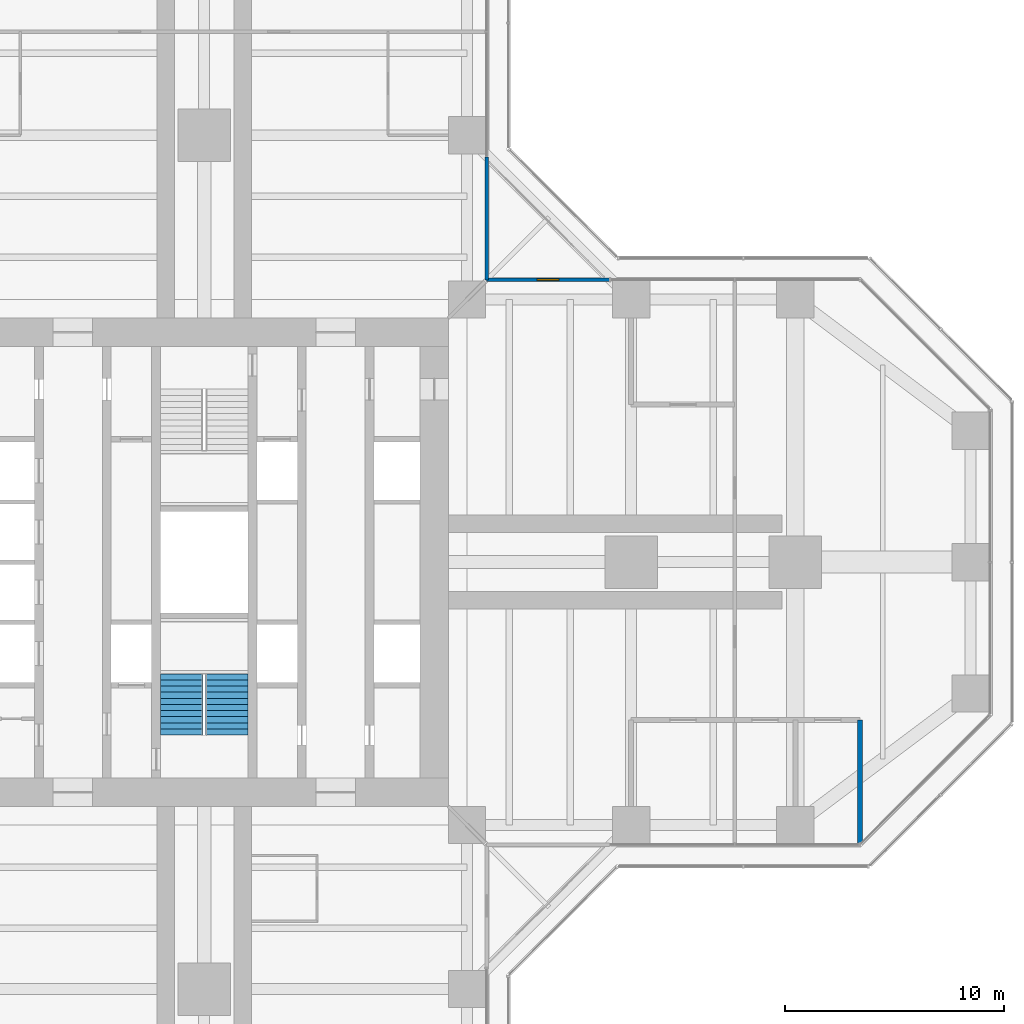
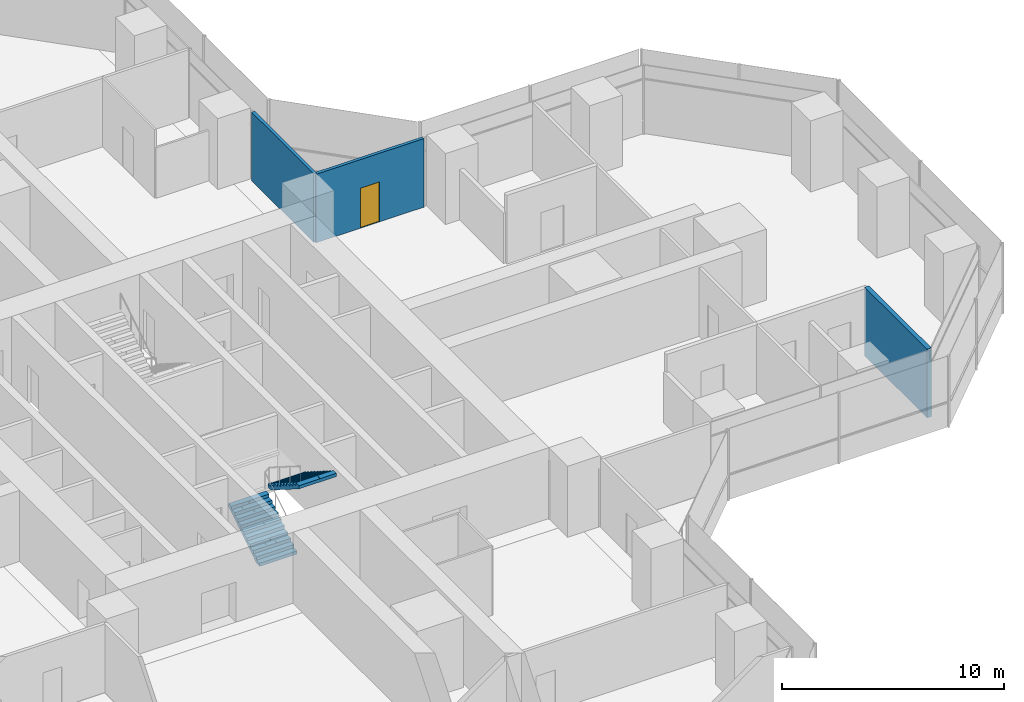
# One storey, part 20 of 22: 3 walls, 2 stair flights, 1 door, 1 opening, 1 element without a shape of its own.
"""IFC4 building model written with IfcOpenShell, lengths in metres."""

import ifcopenshell
import ifcopenshell.guid

model = None  # the IFC model being written
_history = None  # IfcOwnerHistory: only IFC2X3 demands one
_inside = {}  # id of a spatial element -> (the spatial element, [elements in it])
_under = {}  # id of a project, library or spatial element -> (it, [spatial elements below it])
_declared = {}  # id of a project -> (the project, [libraries it declares])
_typed = {}  # id of a type object -> (the type object, [elements of that type])
_made_of = {}  # id of a material, layer set ... -> (it, [elements and type objects made of it])


def new_model(schema):
    """Start an empty IFC model of exactly this schema.

    Asked for "IFC4X3", IfcOpenShell would pick the latest addendum, in which some entities
    have other attributes; the version numbers below select the first issue.
    IFC2X3 requires an IfcOwnerHistory on every rooted entity: one is made here for all.
    """
    global model, _history
    if schema == "IFC4X3":
        model = ifcopenshell.file(schema_version=(4, 3, 0, 0))
    else:
        model = ifcopenshell.file(schema=schema)
    _inside.clear()
    _under.clear()
    _declared.clear()
    _typed.clear()
    _made_of.clear()
    _history = None
    if model.schema == "IFC2X3":
        org = make("IfcOrganization", Name="unknown")
        user = make(
            "IfcPersonAndOrganization",
            ThePerson=make("IfcPerson", FamilyName="unknown"),
            TheOrganization=org,
        )
        app = make(
            "IfcApplication",
            ApplicationDeveloper=org,
            Version="unknown",
            ApplicationFullName="unknown",
            ApplicationIdentifier="unknown",
        )
        _history = make(
            "IfcOwnerHistory",
            OwningUser=user,
            OwningApplication=app,
            ChangeAction="ADDED",
            CreationDate=0,
        )
    return model


def make(cls, **values):
    """One entity of the class cls with the attributes given. An attribute that is None is left unset."""
    return model.create_entity(
        cls, **{name: value for name, value in values.items() if value is not None}
    )


def rooted(cls, **values):
    """An entity with a GlobalId (a new one), such as an element, a storey or a relation."""
    return make(cls, GlobalId=ifcopenshell.guid.new(), OwnerHistory=_history, **values)


def si_unit(unit_type, name, prefix=None):
    """IfcSIUnit, for example si_unit("LENGTHUNIT", "METRE", prefix="MILLI")."""
    return make("IfcSIUnit", UnitType=unit_type, Prefix=prefix, Name=name)


def assignment(units):
    """IfcUnitAssignment: the units of a project."""
    return None if units is None else make("IfcUnitAssignment", Units=units)


def point(xyz):
    """IfcCartesianPoint."""
    return None if xyz is None else make("IfcCartesianPoint", Coordinates=xyz)


def direction(xyz):
    """IfcDirection."""
    return None if xyz is None else make("IfcDirection", DirectionRatios=xyz)


def frame(location, z_axis=None, x_axis=None):
    """IfcAxis2Placement3D, a coordinate frame: its origin and axes. An axis left out is left unset."""
    return make(
        "IfcAxis2Placement3D",
        Location=point(location),
        Axis=direction(z_axis),
        RefDirection=direction(x_axis),
    )


def frame_2d(location, x_axis=None):
    """IfcAxis2Placement2D, a coordinate frame in the plane: its origin and x axis."""
    return make(
        "IfcAxis2Placement2D", Location=point(location), RefDirection=direction(x_axis)
    )


def origin():
    """The frame at (0, 0, 0) with its axes left unset."""
    return frame((0.0, 0.0, 0.0))


def place(relative_to, where):
    """IfcLocalPlacement: puts the frame where relative to a parent placement (None: the world)."""
    return make(
        "IfcLocalPlacement", PlacementRelTo=relative_to, RelativePlacement=where
    )


def context(
    kind, dimensions, precision=None, world=None, true_north=None, identifier=None
):
    """IfcGeometricRepresentationContext, for example the 3D "Model" context."""
    return make(
        "IfcGeometricRepresentationContext",
        ContextIdentifier=identifier,
        ContextType=kind,
        CoordinateSpaceDimension=dimensions,
        Precision=precision,
        WorldCoordinateSystem=world,
        TrueNorth=true_north,
    )


def subcontext(parent, identifier, kind, view, scale=None):
    """IfcGeometricRepresentationSubContext, for example "Body" below "Model"."""
    return make(
        "IfcGeometricRepresentationSubContext",
        ContextIdentifier=identifier,
        ContextType=kind,
        ParentContext=parent,
        TargetScale=scale,
        TargetView=view,
    )


def project(units=None, contexts=None):
    """IfcProject with its units and contexts."""
    return rooted(
        "IfcProject",
        Name="project",
        RepresentationContexts=contexts,
        UnitsInContext=assignment(units),
    )


def spatial(cls, under=None, at=None, **own):
    """A site, building, storey or space (cls), placed at a placement, below another one or the project."""
    s = rooted(cls, ObjectPlacement=at, **own)
    if under is not None:
        _under.setdefault(under.id(), (under, []))[1].append(s)
    return s


def polyline(points):
    """IfcPolyline through the points."""
    return make("IfcPolyline", Points=[point(p) for p in points])


def profile(cls, at=None, kind="AREA", **sizes):
    """A parametric profile (cls). Its sizes go by their IFC names, for example OverallWidth=200.0."""
    return make(cls, ProfileType=kind, Position=at, **sizes)


def rectangle(**sizes):
    """IfcRectangleProfileDef."""
    return profile("IfcRectangleProfileDef", **sizes)


def outline(outer, holes=None, kind="AREA"):
    """IfcArbitraryClosedProfileDef: a profile drawn as a closed curve; with holes, ...WithVoids."""
    if holes is None:
        return make("IfcArbitraryClosedProfileDef", ProfileType=kind, OuterCurve=outer)
    return make(
        "IfcArbitraryProfileDefWithVoids",
        ProfileType=kind,
        OuterCurve=outer,
        InnerCurves=holes,
    )


def extrude(swept, where, along, depth):
    """IfcExtrudedAreaSolid: the profile swept, set in the frame where, extruded along a direction by depth."""
    return make(
        "IfcExtrudedAreaSolid",
        SweptArea=swept,
        Position=where,
        ExtrudedDirection=direction(along),
        Depth=depth,
    )


def shape(context_of_items, identifier, shape_type, items):
    """IfcShapeRepresentation: the items that make up one representation, for example the "Body"."""
    return make(
        "IfcShapeRepresentation",
        ContextOfItems=context_of_items,
        RepresentationIdentifier=identifier,
        RepresentationType=shape_type,
        Items=items,
    )


def material(Name=None, Category=None):
    """IfcMaterial."""
    return make("IfcMaterial", Name=Name, Category=Category)


def layer(
    of_material, thickness, ventilated=None, Name=None, Category=None, Priority=None
):
    """IfcMaterialLayer: one layer of a wall or slab, of a material (None: an air gap)."""
    return make(
        "IfcMaterialLayer",
        Material=of_material,
        LayerThickness=thickness,
        IsVentilated=ventilated,
        Name=Name,
        Category=Category,
        Priority=Priority,
    )


def layer_set(layers, Name=None):
    """IfcMaterialLayerSet."""
    return make("IfcMaterialLayerSet", MaterialLayers=layers, LayerSetName=Name)


def made_of(thing, what):
    """Note that an element or type object is made of a material, layer set ...; save() writes the relation."""
    if what is not None:
        _made_of.setdefault(what.id(), (what, []))[1].append(thing)
    return thing


def type_object(cls, material=None, **own):
    """A type object (cls), such as IfcWallType, which elements share."""
    return made_of(rooted(cls, **own), material)


def element(
    cls,
    number,
    at=None,
    inside=None,
    cuts=None,
    type_object=None,
    material=None,
    context=None,
    identifier="Body",
    shape_type=None,
    held_by="IfcProductDefinitionShape",
    body=None,
    shapes=None,
    **own,
):
    """One element of the class cls, such as IfcWall. Its Tag is "e" and its number.

    at: its placement. inside: the storey or other place that contains it. cuts: it is an
    opening in that element (IfcRelVoidsElement). A single representation is given by context,
    identifier, shape_type and body (its items); several are given by shapes. held_by: the class
    of the entity that holds the representations. save() writes the other relations.
    """
    e = rooted(cls, Tag="e%d" % number, ObjectPlacement=at, **own)
    if body is not None:
        shapes = [shape(context, identifier, shape_type, body)]
    if shapes is not None:
        e.Representation = make(held_by, Representations=shapes)
    if inside is not None:
        _inside.setdefault(inside.id(), (inside, []))[1].append(e)
    if cuts is not None:
        rooted(
            "IfcRelVoidsElement", RelatingBuildingElement=cuts, RelatedOpeningElement=e
        )
    if type_object is not None:
        _typed.setdefault(type_object.id(), (type_object, []))[1].append(e)
    return made_of(e, material)


def fill(opening, filler):
    """IfcRelFillsElement: the door or window that sits in an opening."""
    return rooted(
        "IfcRelFillsElement",
        RelatingOpeningElement=opening,
        RelatedBuildingElement=filler,
    )


def aggregate(whole, parts):
    """IfcRelAggregates: a whole, such as a stair, and the parts it consists of."""
    return rooted("IfcRelAggregates", RelatingObject=whole, RelatedObjects=parts)


def save(model, path):
    """Write the relations noted so far, then the file.

    IfcRelAggregates (storeys below a building ...), IfcRelContainedInSpatialStructure (elements
    in a storey), IfcRelDefinesByType, IfcRelAssociatesMaterial and IfcRelDeclares: one each for
    every whole, place, type object, material and project.
    """
    for whole, parts in _under.values():
        aggregate(whole, parts)
    for where, things in _inside.values():
        rooted(
            "IfcRelContainedInSpatialStructure",
            RelatedElements=things,
            RelatingStructure=where,
        )
    for kind, things in _typed.values():
        rooted("IfcRelDefinesByType", RelatedObjects=things, RelatingType=kind)
    for what, things in _made_of.values():
        rooted("IfcRelAssociatesMaterial", RelatedObjects=things, RelatingMaterial=what)
    for by, libraries in _declared.values():
        rooted("IfcRelDeclares", RelatingContext=by, RelatedDefinitions=libraries)
    model.write(path)


model = new_model("IFC4")

# Units and contexts
model_context = context("Model", 3, precision=1e-05, world=origin(), true_north=direction((0.0, 1.0)))
body_context = subcontext(model_context, "Body", "Model", "MODEL_VIEW")
ifc_project = project(units=[si_unit("LENGTHUNIT", "METRE"), si_unit("AREAUNIT", "SQUARE_METRE"), si_unit("VOLUMEUNIT", "CUBIC_METRE"), si_unit("PLANEANGLEUNIT", "RADIAN"), si_unit("MASSUNIT", "GRAM", prefix="KILO")], contexts=[model_context])

# Site, building, storey
site_placement = place(None, origin())
site = spatial("IfcSite", under=ifc_project, at=site_placement, CompositionType="ELEMENT")
building_placement = place(site_placement, origin())
building = spatial("IfcBuilding", under=site, at=building_placement, Name="Mizan Broadcast Tower", CompositionType="ELEMENT")
storey_placement = place(building_placement, frame((0.0, 0.0, 82.5)))
storey = spatial("IfcBuildingStorey", under=building, at=storey_placement, Name="L17", CompositionType="ELEMENT", Elevation=82.5)

# Wall, opening, door
ifc_material_1 = material(Name="Aluminium framed glazed screen", Category="aluminium")
ifc_layer_1 = layer(ifc_material_1, 0.159912109375)
ifc_layer_set_1 = layer_set([ifc_layer_1], Name="Aluminium framed glazed screen")
wall_type_1 = type_object("IfcWallType", Name="GLAZED SCREEN WALL 160", PredefinedType="SOLIDWALL", material=ifc_layer_set_1)
wall_1_placement = place(storey_placement, frame((18.5, 12.89990234375, 0.0), z_axis=(0.0, 0.0, 1.0), x_axis=(-1.0, 0.0, 0.0)))
wall_1 = element("IfcWall", 1, at=wall_1_placement, inside=storey, type_object=wall_type_1, Name="Winter garden screen L17 E", PredefinedType="SOLIDWALL", context=body_context, shape_type="SweptSolid", body=[
    extrude(rectangle(XDim=5.60009765625, YDim=0.159912109375, at=frame_2d((2.800048828125, 0.0))), origin(), (0.0, 0.0, 1.0), 3.77001953125),
])
opening_placement = place(wall_1_placement, frame((2.300048828125, 0.0, 0.0)))
opening = element("IfcOpeningElement", 2, at=opening_placement, cuts=wall_1, Name="Opening WGD", PredefinedType="OPENING", context=body_context, shape_type="SweptSolid", body=[
    extrude(rectangle(XDim=1.0, YDim=2.199951171875, at=frame_2d((0.5, 1.10009765625))), frame((0.0, 0.08984375, 0.0), z_axis=(0.0, -1.0, 0.0), x_axis=(1.0, 0.0, 0.0)), (0.0, 0.0, 1.0), 0.179931640625),
])
ifc_material_2 = material(Name="Aluminium framed glazed door", Category="aluminium")
door_type = type_object("IfcDoorType", Name="WINTER GARDEN DOOR 1000 GLAZED", OperationType="SINGLE_SWING_LEFT", PredefinedType="DOOR", material=ifc_material_2)
door_placement = place(opening_placement, origin())
door = element("IfcDoor", 3, at=door_placement, inside=storey, type_object=door_type, Name="Winter garden door L17 E", OperationType="SINGLE_SWING_RIGHT", OverallHeight=2.199951171875, OverallWidth=1.0, PredefinedType="DOOR", context=body_context, shape_type="SweptSolid", body=[
    extrude(rectangle(XDim=1.0, YDim=2.199951171875, at=frame_2d((0.5, 1.10009765625))), frame((0.0, 0.02490234375, 0.0), z_axis=(0.0, -1.0, 0.0), x_axis=(1.0, 0.0, 0.0)), (0.0, 0.0, 1.0), 0.050048828125),
])
fill(opening, door)

# Walls
wall_2_placement = place(storey_placement, frame((12.89990234375, 12.89990234375, 0.0), z_axis=(0.0, 0.0, 1.0), x_axis=(0.0, 1.0, 0.0)))
element("IfcWall", 4, at=wall_2_placement, inside=storey, type_object=wall_type_1, Name="Winter garden screen L17 N", PredefinedType="SOLIDWALL", context=body_context, shape_type="SweptSolid", body=[
    extrude(rectangle(XDim=5.60009765625, YDim=0.159912109375, at=frame_2d((2.800048828125, 0.0))), origin(), (0.0, 0.0, 1.0), 3.77001953125),
])
ifc_material_3 = material(Name="Twin steel stud acoustic partition, four layers of gypsum board", Category="steel")
ifc_layer_2 = layer(ifc_material_3, 0.22509765625)
ifc_layer_set_2 = layer_set([ifc_layer_2], Name="Twin steel stud acoustic partition, four layers of gypsum board")
wall_type_2 = type_object("IfcWallType", Name="PARTITION ACOUSTIC 225", PredefinedType="PARTITIONING", material=ifc_layer_set_2)
wall_3_placement = place(storey_placement, frame((29.958984375, -7.199951171875, 0.0), z_axis=(0.0, 0.0, 1.0), x_axis=(0.0, -1.0, 0.0)))
element("IfcWall", 5, at=wall_3_placement, inside=storey, type_object=wall_type_2, Name="Acoustic partition PT/EQN2996", PredefinedType="PARTITIONING", context=body_context, shape_type="SweptSolid", body=[
    extrude(rectangle(XDim=5.6201171875, YDim=0.22509765625, at=frame_2d((2.81005859375, 0.0))), origin(), (0.0, 0.0, 1.0), 3.77001953125),
])

# Stair, stair flights
ifc_material_4 = material(Name="Concrete C40/50", Category="concrete")
stair_type = type_object("IfcStairType", Name="EXIT STAIR", PredefinedType="HALF_TURN_STAIR", material=ifc_material_4)
stair_placement = place(storey_placement, origin())
stair = element("IfcStair", 6, at=stair_placement, inside=storey, type_object=stair_type, Name="Stair A L17", PredefinedType="HALF_TURN_STAIR")
ifc_material_5 = material(Name="Concrete C40/50", Category="concrete")
stair_flight_type = type_object("IfcStairFlightType", Name="EXIT STAIR FLIGHT", PredefinedType="STRAIGHT", material=ifc_material_5)
stair_flight_1_placement = place(storey_placement, frame((-1.02490234375, -7.89990234375, 0.0), z_axis=(0.0, 0.0, 1.0), x_axis=(0.0, 1.0, 0.0)))
stair_flight_1 = element("IfcStairFlight", 7, at=stair_flight_1_placement, type_object=stair_flight_type, Name="A flight 1", NumberOfRisers=11, NumberOfTreads=10, PredefinedType="STRAIGHT", RiserHeight=0.177272727, TreadLength=0.28, context=body_context, shape_type="SweptSolid", body=[
    extrude(outline(polyline([(0.0, 0.0), (0.0, 0.17724609375), (0.280029296875, 0.17724609375), (0.280029296875, 0.3544921875), (0.56005859375, 0.3544921875), (0.56005859375, 0.53173828125), (0.840087890625, 0.53173828125), (0.840087890625, 0.708984375), (1.1201171875, 0.708984375), (1.1201171875, 0.886474609375), (1.39990234375, 0.886474609375), (1.39990234375, 1.063720703125), (1.679931640625, 1.063720703125), (1.679931640625, 1.240966796875), (1.9599609375, 1.240966796875), (1.9599609375, 1.418212890625), (2.239990234375, 1.418212890625), (2.239990234375, 1.595458984375), (2.52001953125, 1.595458984375), (2.52001953125, 1.772705078125), (2.800048828125, 1.772705078125), (2.800048828125, 1.949951171875), (2.800048828125, 1.59521484375), (0.2802734375, 0.0), (0.0, 0.0)])), frame((0.0, 0.97509765625, 0.0), z_axis=(0.0, -1.0, 0.0), x_axis=(1.0, 0.0, 0.0)), (0.0, 0.0, 1.0), 0.4873046875),
    extrude(outline(polyline([(0.0, 0.0), (0.0, 0.17724609375), (0.280029296875, 0.17724609375), (0.280029296875, 0.3544921875), (0.56005859375, 0.3544921875), (0.56005859375, 0.53173828125), (0.840087890625, 0.53173828125), (0.840087890625, 0.708984375), (1.1201171875, 0.708984375), (1.1201171875, 0.886474609375), (1.39990234375, 0.886474609375), (1.39990234375, 1.063720703125), (1.679931640625, 1.063720703125), (1.679931640625, 1.240966796875), (1.9599609375, 1.240966796875), (1.9599609375, 1.418212890625), (2.239990234375, 1.418212890625), (2.239990234375, 1.595458984375), (2.52001953125, 1.595458984375), (2.52001953125, 1.772705078125), (2.800048828125, 1.772705078125), (2.800048828125, 1.949951171875), (2.800048828125, 1.59521484375), (0.2802734375, 0.0), (0.0, 0.0)])), frame((0.0, 0.4873046875, 0.0), z_axis=(0.0, -1.0, 0.0), x_axis=(1.0, 0.0, 0.0)), (0.0, 0.0, 1.0), 0.2431640625),
    extrude(outline(polyline([(0.0, 0.0), (0.0, 0.17724609375), (0.280029296875, 0.17724609375), (0.280029296875, 0.3544921875), (0.56005859375, 0.3544921875), (0.56005859375, 0.53173828125), (0.840087890625, 0.53173828125), (0.840087890625, 0.708984375), (1.1201171875, 0.708984375), (1.1201171875, 0.886474609375), (1.39990234375, 0.886474609375), (1.39990234375, 1.063720703125), (1.679931640625, 1.063720703125), (1.679931640625, 1.240966796875), (1.9599609375, 1.240966796875), (1.9599609375, 1.418212890625), (2.239990234375, 1.418212890625), (2.239990234375, 1.595458984375), (2.52001953125, 1.595458984375), (2.52001953125, 1.772705078125), (2.800048828125, 1.772705078125), (2.800048828125, 1.949951171875), (2.800048828125, 1.59521484375), (0.2802734375, 0.0), (0.0, 0.0)])), frame((0.0, 0.24365234375, 0.0), z_axis=(0.0, -1.0, 0.0), x_axis=(1.0, 0.0, 0.0)), (0.0, 0.0, 1.0), 0.121337890625),
    extrude(outline(polyline([(0.0, 0.0), (0.0, 0.17724609375), (0.280029296875, 0.17724609375), (0.280029296875, 0.3544921875), (0.56005859375, 0.3544921875), (0.56005859375, 0.53173828125), (0.840087890625, 0.53173828125), (0.840087890625, 0.708984375), (1.1201171875, 0.708984375), (1.1201171875, 0.886474609375), (1.39990234375, 0.886474609375), (1.39990234375, 1.063720703125), (1.679931640625, 1.063720703125), (1.679931640625, 1.240966796875), (1.9599609375, 1.240966796875), (1.9599609375, 1.418212890625), (2.239990234375, 1.418212890625), (2.239990234375, 1.595458984375), (2.52001953125, 1.595458984375), (2.52001953125, 1.772705078125), (2.800048828125, 1.772705078125), (2.800048828125, 1.949951171875), (2.800048828125, 1.59521484375), (0.2802734375, 0.0), (0.0, 0.0)])), frame((0.0, 0.121826171875, 0.0), z_axis=(0.0, -1.0, 0.0), x_axis=(1.0, 0.0, 0.0)), (0.0, 0.0, 1.0), 0.060546875),
    extrude(outline(polyline([(0.0, 0.0), (0.0, 0.17724609375), (0.280029296875, 0.17724609375), (0.280029296875, 0.3544921875), (0.56005859375, 0.3544921875), (0.56005859375, 0.53173828125), (0.840087890625, 0.53173828125), (0.840087890625, 0.708984375), (1.1201171875, 0.708984375), (1.1201171875, 0.886474609375), (1.39990234375, 0.886474609375), (1.39990234375, 1.063720703125), (1.679931640625, 1.063720703125), (1.679931640625, 1.240966796875), (1.9599609375, 1.240966796875), (1.9599609375, 1.418212890625), (2.239990234375, 1.418212890625), (2.239990234375, 1.595458984375), (2.52001953125, 1.595458984375), (2.52001953125, 1.772705078125), (2.800048828125, 1.772705078125), (2.800048828125, 1.949951171875), (2.800048828125, 1.59521484375), (0.2802734375, 0.0), (0.0, 0.0)])), frame((0.0, 0.060791015625, 0.0), z_axis=(0.0, -1.0, 0.0), x_axis=(1.0, 0.0, 0.0)), (0.0, 0.0, 1.0), 0.030029296875),
    extrude(outline(polyline([(0.0, 0.0), (0.0, 0.17724609375), (0.280029296875, 0.17724609375), (0.280029296875, 0.3544921875), (0.56005859375, 0.3544921875), (0.56005859375, 0.53173828125), (0.840087890625, 0.53173828125), (0.840087890625, 0.708984375), (1.1201171875, 0.708984375), (1.1201171875, 0.886474609375), (1.39990234375, 0.886474609375), (1.39990234375, 1.063720703125), (1.679931640625, 1.063720703125), (1.679931640625, 1.240966796875), (1.9599609375, 1.240966796875), (1.9599609375, 1.418212890625), (2.239990234375, 1.418212890625), (2.239990234375, 1.595458984375), (2.52001953125, 1.595458984375), (2.52001953125, 1.772705078125), (2.800048828125, 1.772705078125), (2.800048828125, 1.949951171875), (2.800048828125, 1.59521484375), (0.2802734375, 0.0), (0.0, 0.0)])), frame((0.0, 0.0302734375, 0.0), z_axis=(0.0, -1.0, 0.0), x_axis=(1.0, 0.0, 0.0)), (0.0, 0.0, 1.0), 0.060302734375),
    extrude(outline(polyline([(0.0, 0.0), (0.0, 0.17724609375), (0.280029296875, 0.17724609375), (0.280029296875, 0.3544921875), (0.56005859375, 0.3544921875), (0.56005859375, 0.53173828125), (0.840087890625, 0.53173828125), (0.840087890625, 0.708984375), (1.1201171875, 0.708984375), (1.1201171875, 0.886474609375), (1.39990234375, 0.886474609375), (1.39990234375, 1.063720703125), (1.679931640625, 1.063720703125), (1.679931640625, 1.240966796875), (1.9599609375, 1.240966796875), (1.9599609375, 1.418212890625), (2.239990234375, 1.418212890625), (2.239990234375, 1.595458984375), (2.52001953125, 1.595458984375), (2.52001953125, 1.772705078125), (2.800048828125, 1.772705078125), (2.800048828125, 1.949951171875), (2.800048828125, 1.59521484375), (0.2802734375, 0.0), (0.0, 0.0)])), frame((0.0, -0.030517578125, 0.0), z_axis=(0.0, -1.0, 0.0), x_axis=(1.0, 0.0, 0.0)), (0.0, 0.0, 1.0), 0.030029296875),
    extrude(outline(polyline([(0.0, 0.0), (0.0, 0.17724609375), (0.280029296875, 0.17724609375), (0.280029296875, 0.3544921875), (0.56005859375, 0.3544921875), (0.56005859375, 0.53173828125), (0.840087890625, 0.53173828125), (0.840087890625, 0.708984375), (1.1201171875, 0.708984375), (1.1201171875, 0.886474609375), (1.39990234375, 0.886474609375), (1.39990234375, 1.063720703125), (1.679931640625, 1.063720703125), (1.679931640625, 1.240966796875), (1.9599609375, 1.240966796875), (1.9599609375, 1.418212890625), (2.239990234375, 1.418212890625), (2.239990234375, 1.595458984375), (2.52001953125, 1.595458984375), (2.52001953125, 1.772705078125), (2.800048828125, 1.772705078125), (2.800048828125, 1.949951171875), (2.800048828125, 1.59521484375), (0.2802734375, 0.0), (0.0, 0.0)])), frame((0.0, -0.06103515625, 0.0), z_axis=(0.0, -1.0, 0.0), x_axis=(1.0, 0.0, 0.0)), (0.0, 0.0, 1.0), 0.060546875),
    extrude(outline(polyline([(0.0, 0.0), (0.0, 0.17724609375), (0.280029296875, 0.17724609375), (0.280029296875, 0.3544921875), (0.56005859375, 0.3544921875), (0.56005859375, 0.53173828125), (0.840087890625, 0.53173828125), (0.840087890625, 0.708984375), (1.1201171875, 0.708984375), (1.1201171875, 0.886474609375), (1.39990234375, 0.886474609375), (1.39990234375, 1.063720703125), (1.679931640625, 1.063720703125), (1.679931640625, 1.240966796875), (1.9599609375, 1.240966796875), (1.9599609375, 1.418212890625), (2.239990234375, 1.418212890625), (2.239990234375, 1.595458984375), (2.52001953125, 1.595458984375), (2.52001953125, 1.772705078125), (2.800048828125, 1.772705078125), (2.800048828125, 1.949951171875), (2.800048828125, 1.59521484375), (0.2802734375, 0.0), (0.0, 0.0)])), frame((0.0, -0.1220703125, 0.0), z_axis=(0.0, -1.0, 0.0), x_axis=(1.0, 0.0, 0.0)), (0.0, 0.0, 1.0), 0.121337890625),
    extrude(outline(polyline([(0.0, 0.0), (0.0, 0.17724609375), (0.280029296875, 0.17724609375), (0.280029296875, 0.3544921875), (0.56005859375, 0.3544921875), (0.56005859375, 0.53173828125), (0.840087890625, 0.53173828125), (0.840087890625, 0.708984375), (1.1201171875, 0.708984375), (1.1201171875, 0.886474609375), (1.39990234375, 0.886474609375), (1.39990234375, 1.063720703125), (1.679931640625, 1.063720703125), (1.679931640625, 1.240966796875), (1.9599609375, 1.240966796875), (1.9599609375, 1.418212890625), (2.239990234375, 1.418212890625), (2.239990234375, 1.595458984375), (2.52001953125, 1.595458984375), (2.52001953125, 1.772705078125), (2.800048828125, 1.772705078125), (2.800048828125, 1.949951171875), (2.800048828125, 1.59521484375), (0.2802734375, 0.0), (0.0, 0.0)])), frame((0.0, -0.243896484375, 0.0), z_axis=(0.0, -1.0, 0.0), x_axis=(1.0, 0.0, 0.0)), (0.0, 0.0, 1.0), 0.2431640625),
    extrude(outline(polyline([(0.0, 0.0), (0.0, 0.17724609375), (0.280029296875, 0.17724609375), (0.280029296875, 0.3544921875), (0.56005859375, 0.3544921875), (0.56005859375, 0.53173828125), (0.840087890625, 0.53173828125), (0.840087890625, 0.708984375), (1.1201171875, 0.708984375), (1.1201171875, 0.886474609375), (1.39990234375, 0.886474609375), (1.39990234375, 1.063720703125), (1.679931640625, 1.063720703125), (1.679931640625, 1.240966796875), (1.9599609375, 1.240966796875), (1.9599609375, 1.418212890625), (2.239990234375, 1.418212890625), (2.239990234375, 1.595458984375), (2.52001953125, 1.595458984375), (2.52001953125, 1.772705078125), (2.800048828125, 1.772705078125), (2.800048828125, 1.949951171875), (2.800048828125, 1.59521484375), (0.2802734375, 0.0), (0.0, 0.0)])), frame((0.0, -0.487548828125, 0.0), z_axis=(0.0, -1.0, 0.0), x_axis=(1.0, 0.0, 0.0)), (0.0, 0.0, 1.0), 0.4873046875),
])
stair_flight_2_placement = place(storey_placement, frame((1.02490234375, -5.10009765625, 1.949951171875), z_axis=(0.0, 0.0, 1.0), x_axis=(0.0, -1.0, 0.0)))
stair_flight_2 = element("IfcStairFlight", 8, at=stair_flight_2_placement, type_object=stair_flight_type, Name="A flight 2", NumberOfRisers=11, NumberOfTreads=10, PredefinedType="STRAIGHT", RiserHeight=0.177272727, TreadLength=0.28, context=body_context, shape_type="SweptSolid", body=[
    extrude(outline(polyline([(0.0, 0.0), (0.0, 0.17724609375), (0.280029296875, 0.17724609375), (0.280029296875, 0.3544921875), (0.56005859375, 0.3544921875), (0.56005859375, 0.53173828125), (0.840087890625, 0.53173828125), (0.840087890625, 0.708984375), (1.1201171875, 0.708984375), (1.1201171875, 0.886474609375), (1.39990234375, 0.886474609375), (1.39990234375, 1.063720703125), (1.679931640625, 1.063720703125), (1.679931640625, 1.240966796875), (1.9599609375, 1.240966796875), (1.9599609375, 1.418212890625), (2.239990234375, 1.418212890625), (2.239990234375, 1.595458984375), (2.52001953125, 1.595458984375), (2.52001953125, 1.772705078125), (2.800048828125, 1.772705078125), (2.800048828125, 1.949951171875), (2.800048828125, 1.59521484375), (0.2802734375, 0.0), (0.0, 0.0)])), frame((0.0, 0.97509765625, 0.0), z_axis=(0.0, -1.0, 0.0), x_axis=(1.0, 0.0, 0.0)), (0.0, 0.0, 1.0), 0.4873046875),
    extrude(outline(polyline([(0.0, 0.0), (0.0, 0.17724609375), (0.280029296875, 0.17724609375), (0.280029296875, 0.3544921875), (0.56005859375, 0.3544921875), (0.56005859375, 0.53173828125), (0.840087890625, 0.53173828125), (0.840087890625, 0.708984375), (1.1201171875, 0.708984375), (1.1201171875, 0.886474609375), (1.39990234375, 0.886474609375), (1.39990234375, 1.063720703125), (1.679931640625, 1.063720703125), (1.679931640625, 1.240966796875), (1.9599609375, 1.240966796875), (1.9599609375, 1.418212890625), (2.239990234375, 1.418212890625), (2.239990234375, 1.595458984375), (2.52001953125, 1.595458984375), (2.52001953125, 1.772705078125), (2.800048828125, 1.772705078125), (2.800048828125, 1.949951171875), (2.800048828125, 1.59521484375), (0.2802734375, 0.0), (0.0, 0.0)])), frame((0.0, 0.4873046875, 0.0), z_axis=(0.0, -1.0, 0.0), x_axis=(1.0, 0.0, 0.0)), (0.0, 0.0, 1.0), 0.2431640625),
    extrude(outline(polyline([(0.0, 0.0), (0.0, 0.17724609375), (0.280029296875, 0.17724609375), (0.280029296875, 0.3544921875), (0.56005859375, 0.3544921875), (0.56005859375, 0.53173828125), (0.840087890625, 0.53173828125), (0.840087890625, 0.708984375), (1.1201171875, 0.708984375), (1.1201171875, 0.886474609375), (1.39990234375, 0.886474609375), (1.39990234375, 1.063720703125), (1.679931640625, 1.063720703125), (1.679931640625, 1.240966796875), (1.9599609375, 1.240966796875), (1.9599609375, 1.418212890625), (2.239990234375, 1.418212890625), (2.239990234375, 1.595458984375), (2.52001953125, 1.595458984375), (2.52001953125, 1.772705078125), (2.800048828125, 1.772705078125), (2.800048828125, 1.949951171875), (2.800048828125, 1.59521484375), (0.2802734375, 0.0), (0.0, 0.0)])), frame((0.0, 0.24365234375, 0.0), z_axis=(0.0, -1.0, 0.0), x_axis=(1.0, 0.0, 0.0)), (0.0, 0.0, 1.0), 0.121337890625),
    extrude(outline(polyline([(0.0, 0.0), (0.0, 0.17724609375), (0.280029296875, 0.17724609375), (0.280029296875, 0.3544921875), (0.56005859375, 0.3544921875), (0.56005859375, 0.53173828125), (0.840087890625, 0.53173828125), (0.840087890625, 0.708984375), (1.1201171875, 0.708984375), (1.1201171875, 0.886474609375), (1.39990234375, 0.886474609375), (1.39990234375, 1.063720703125), (1.679931640625, 1.063720703125), (1.679931640625, 1.240966796875), (1.9599609375, 1.240966796875), (1.9599609375, 1.418212890625), (2.239990234375, 1.418212890625), (2.239990234375, 1.595458984375), (2.52001953125, 1.595458984375), (2.52001953125, 1.772705078125), (2.800048828125, 1.772705078125), (2.800048828125, 1.949951171875), (2.800048828125, 1.59521484375), (0.2802734375, 0.0), (0.0, 0.0)])), frame((0.0, 0.121826171875, 0.0), z_axis=(0.0, -1.0, 0.0), x_axis=(1.0, 0.0, 0.0)), (0.0, 0.0, 1.0), 0.060546875),
    extrude(outline(polyline([(0.0, 0.0), (0.0, 0.17724609375), (0.280029296875, 0.17724609375), (0.280029296875, 0.3544921875), (0.56005859375, 0.3544921875), (0.56005859375, 0.53173828125), (0.840087890625, 0.53173828125), (0.840087890625, 0.708984375), (1.1201171875, 0.708984375), (1.1201171875, 0.886474609375), (1.39990234375, 0.886474609375), (1.39990234375, 1.063720703125), (1.679931640625, 1.063720703125), (1.679931640625, 1.240966796875), (1.9599609375, 1.240966796875), (1.9599609375, 1.418212890625), (2.239990234375, 1.418212890625), (2.239990234375, 1.595458984375), (2.52001953125, 1.595458984375), (2.52001953125, 1.772705078125), (2.800048828125, 1.772705078125), (2.800048828125, 1.949951171875), (2.800048828125, 1.59521484375), (0.2802734375, 0.0), (0.0, 0.0)])), frame((0.0, 0.060791015625, 0.0), z_axis=(0.0, -1.0, 0.0), x_axis=(1.0, 0.0, 0.0)), (0.0, 0.0, 1.0), 0.030029296875),
    extrude(outline(polyline([(0.0, 0.0), (0.0, 0.17724609375), (0.280029296875, 0.17724609375), (0.280029296875, 0.3544921875), (0.56005859375, 0.3544921875), (0.56005859375, 0.53173828125), (0.840087890625, 0.53173828125), (0.840087890625, 0.708984375), (1.1201171875, 0.708984375), (1.1201171875, 0.886474609375), (1.39990234375, 0.886474609375), (1.39990234375, 1.063720703125), (1.679931640625, 1.063720703125), (1.679931640625, 1.240966796875), (1.9599609375, 1.240966796875), (1.9599609375, 1.418212890625), (2.239990234375, 1.418212890625), (2.239990234375, 1.595458984375), (2.52001953125, 1.595458984375), (2.52001953125, 1.772705078125), (2.800048828125, 1.772705078125), (2.800048828125, 1.949951171875), (2.800048828125, 1.59521484375), (0.2802734375, 0.0), (0.0, 0.0)])), frame((0.0, 0.0302734375, 0.0), z_axis=(0.0, -1.0, 0.0), x_axis=(1.0, 0.0, 0.0)), (0.0, 0.0, 1.0), 0.060302734375),
    extrude(outline(polyline([(0.0, 0.0), (0.0, 0.17724609375), (0.280029296875, 0.17724609375), (0.280029296875, 0.3544921875), (0.56005859375, 0.3544921875), (0.56005859375, 0.53173828125), (0.840087890625, 0.53173828125), (0.840087890625, 0.708984375), (1.1201171875, 0.708984375), (1.1201171875, 0.886474609375), (1.39990234375, 0.886474609375), (1.39990234375, 1.063720703125), (1.679931640625, 1.063720703125), (1.679931640625, 1.240966796875), (1.9599609375, 1.240966796875), (1.9599609375, 1.418212890625), (2.239990234375, 1.418212890625), (2.239990234375, 1.595458984375), (2.52001953125, 1.595458984375), (2.52001953125, 1.772705078125), (2.800048828125, 1.772705078125), (2.800048828125, 1.949951171875), (2.800048828125, 1.59521484375), (0.2802734375, 0.0), (0.0, 0.0)])), frame((0.0, -0.030517578125, 0.0), z_axis=(0.0, -1.0, 0.0), x_axis=(1.0, 0.0, 0.0)), (0.0, 0.0, 1.0), 0.030029296875),
    extrude(outline(polyline([(0.0, 0.0), (0.0, 0.17724609375), (0.280029296875, 0.17724609375), (0.280029296875, 0.3544921875), (0.56005859375, 0.3544921875), (0.56005859375, 0.53173828125), (0.840087890625, 0.53173828125), (0.840087890625, 0.708984375), (1.1201171875, 0.708984375), (1.1201171875, 0.886474609375), (1.39990234375, 0.886474609375), (1.39990234375, 1.063720703125), (1.679931640625, 1.063720703125), (1.679931640625, 1.240966796875), (1.9599609375, 1.240966796875), (1.9599609375, 1.418212890625), (2.239990234375, 1.418212890625), (2.239990234375, 1.595458984375), (2.52001953125, 1.595458984375), (2.52001953125, 1.772705078125), (2.800048828125, 1.772705078125), (2.800048828125, 1.949951171875), (2.800048828125, 1.59521484375), (0.2802734375, 0.0), (0.0, 0.0)])), frame((0.0, -0.06103515625, 0.0), z_axis=(0.0, -1.0, 0.0), x_axis=(1.0, 0.0, 0.0)), (0.0, 0.0, 1.0), 0.060546875),
    extrude(outline(polyline([(0.0, 0.0), (0.0, 0.17724609375), (0.280029296875, 0.17724609375), (0.280029296875, 0.3544921875), (0.56005859375, 0.3544921875), (0.56005859375, 0.53173828125), (0.840087890625, 0.53173828125), (0.840087890625, 0.708984375), (1.1201171875, 0.708984375), (1.1201171875, 0.886474609375), (1.39990234375, 0.886474609375), (1.39990234375, 1.063720703125), (1.679931640625, 1.063720703125), (1.679931640625, 1.240966796875), (1.9599609375, 1.240966796875), (1.9599609375, 1.418212890625), (2.239990234375, 1.418212890625), (2.239990234375, 1.595458984375), (2.52001953125, 1.595458984375), (2.52001953125, 1.772705078125), (2.800048828125, 1.772705078125), (2.800048828125, 1.949951171875), (2.800048828125, 1.59521484375), (0.2802734375, 0.0), (0.0, 0.0)])), frame((0.0, -0.1220703125, 0.0), z_axis=(0.0, -1.0, 0.0), x_axis=(1.0, 0.0, 0.0)), (0.0, 0.0, 1.0), 0.121337890625),
    extrude(outline(polyline([(0.0, 0.0), (0.0, 0.17724609375), (0.280029296875, 0.17724609375), (0.280029296875, 0.3544921875), (0.56005859375, 0.3544921875), (0.56005859375, 0.53173828125), (0.840087890625, 0.53173828125), (0.840087890625, 0.708984375), (1.1201171875, 0.708984375), (1.1201171875, 0.886474609375), (1.39990234375, 0.886474609375), (1.39990234375, 1.063720703125), (1.679931640625, 1.063720703125), (1.679931640625, 1.240966796875), (1.9599609375, 1.240966796875), (1.9599609375, 1.418212890625), (2.239990234375, 1.418212890625), (2.239990234375, 1.595458984375), (2.52001953125, 1.595458984375), (2.52001953125, 1.772705078125), (2.800048828125, 1.772705078125), (2.800048828125, 1.949951171875), (2.800048828125, 1.59521484375), (0.2802734375, 0.0), (0.0, 0.0)])), frame((0.0, -0.243896484375, 0.0), z_axis=(0.0, -1.0, 0.0), x_axis=(1.0, 0.0, 0.0)), (0.0, 0.0, 1.0), 0.2431640625),
    extrude(outline(polyline([(0.0, 0.0), (0.0, 0.17724609375), (0.280029296875, 0.17724609375), (0.280029296875, 0.3544921875), (0.56005859375, 0.3544921875), (0.56005859375, 0.53173828125), (0.840087890625, 0.53173828125), (0.840087890625, 0.708984375), (1.1201171875, 0.708984375), (1.1201171875, 0.886474609375), (1.39990234375, 0.886474609375), (1.39990234375, 1.063720703125), (1.679931640625, 1.063720703125), (1.679931640625, 1.240966796875), (1.9599609375, 1.240966796875), (1.9599609375, 1.418212890625), (2.239990234375, 1.418212890625), (2.239990234375, 1.595458984375), (2.52001953125, 1.595458984375), (2.52001953125, 1.772705078125), (2.800048828125, 1.772705078125), (2.800048828125, 1.949951171875), (2.800048828125, 1.59521484375), (0.2802734375, 0.0), (0.0, 0.0)])), frame((0.0, -0.487548828125, 0.0), z_axis=(0.0, -1.0, 0.0), x_axis=(1.0, 0.0, 0.0)), (0.0, 0.0, 1.0), 0.4873046875),
])
aggregate(stair, [stair_flight_1, stair_flight_2])

save(model, "model.ifc")
